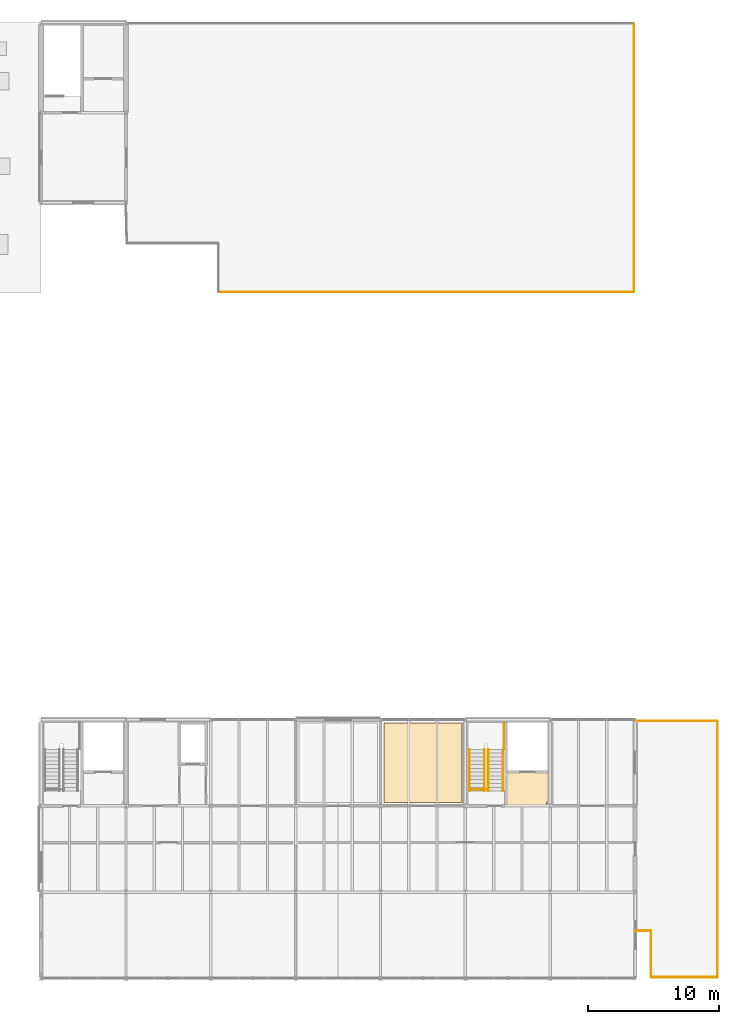
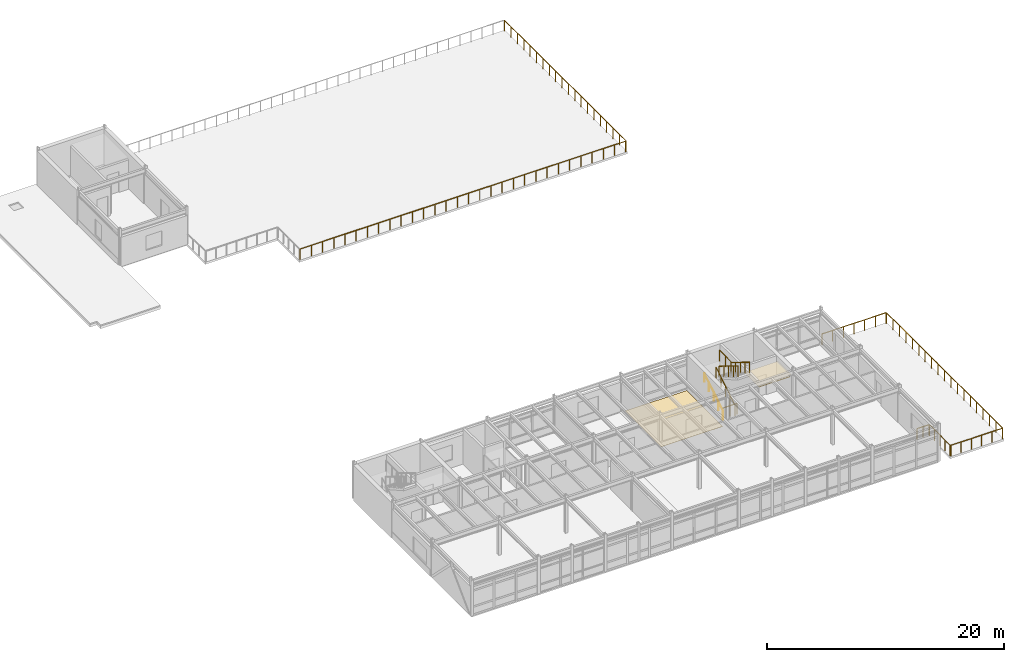
# One storey, part 25 of 26: 13 railings, 2 coverings.
"""IFC4 building model written with IfcOpenShell, lengths in metres."""

from ifc_helpers import new_model, si_unit, direction, frame, origin, origin_2d, place, context, subcontext, project, spatial, polyline, circle, outline, extrude, material, layer, layer_set, type_object, element, save


model = new_model("IFC4")

# Units and contexts
model_context = context("Model", 3, precision=1e-05, world=origin(), true_north=direction((0.0, 1.0)))
body_context = subcontext(model_context, "Body", "Model", "MODEL_VIEW")
ifc_project = project(units=[si_unit("LENGTHUNIT", "METRE"), si_unit("AREAUNIT", "SQUARE_METRE"), si_unit("VOLUMEUNIT", "CUBIC_METRE"), si_unit("PLANEANGLEUNIT", "RADIAN"), si_unit("MASSUNIT", "GRAM", prefix="KILO")], contexts=[model_context])

# Site, building, storey
site_placement = place(None, origin())
site = spatial("IfcSite", under=ifc_project, at=site_placement, CompositionType="ELEMENT")
building_placement = place(site_placement, origin())
building = spatial("IfcBuilding", under=site, at=building_placement, Name="Trelmorton Wharf Fire Station", CompositionType="ELEMENT")
storey_placement = place(building_placement, frame((0.0, 0.0, 17.39990234375)))
storey = spatial("IfcBuildingStorey", under=building, at=storey_placement, Name="L04", CompositionType="ELEMENT", Elevation=17.39990234375)

# Coverings
ifc_material_1 = material(Name="Mineral fibre acoustic ceiling")
ifc_layer_1 = layer(ifc_material_1, 0.02001953125)
ifc_layer_set_1 = layer_set([ifc_layer_1], Name="Mineral fibre acoustic ceiling")
covering_type_1 = type_object("IfcCoveringType", Name="CV_CEIL_ACOU", PredefinedType="CEILING", material=ifc_layer_set_1)
covering_1_placement = place(storey_placement, frame((0.0, 0.0, 2.97998046875)))
element("IfcCovering", 1, at=covering_1_placement, inside=storey, type_object=covering_type_1, Name="CV-CLG-027", PredefinedType="CEILING", context=body_context, shape_type="SweptSolid", body=[
    extrude(outline(polyline([(146.159912109375, 21.0400390625), (146.159912109375, 23.56005859375), (149.4599609375, 23.56005859375), (149.4599609375, 21.300048828125), (149.199951171875, 21.300048828125), (149.199951171875, 21.0400390625), (146.159912109375, 21.0400390625)])), origin(), (0.0, 0.0, 1.0), 0.02001953125),
])
ifc_material_2 = material(Name="Quarry tile wet-area flooring")
ifc_layer_2 = layer(ifc_material_2, 0.02001953125)
ifc_layer_set_2 = layer_set([ifc_layer_2], Name="Quarry tile wet-area flooring")
covering_type_2 = type_object("IfcCoveringType", Name="CV_FLOR_TILE", PredefinedType="FLOORING", material=ifc_layer_set_2)
covering_2_placement = place(storey_placement, origin())
element("IfcCovering", 2, at=covering_2_placement, inside=storey, type_object=covering_type_2, Name="CV-FLR-017", PredefinedType="FLOORING", context=body_context, shape_type="SweptSolid", body=[
    extrude(outline(polyline([(142.75, 21.25), (142.75, 27.35009765625), (136.75, 27.35009765625), (136.75, 21.25), (142.75, 21.25)])), origin(), (0.0, 0.0, 1.0), 0.02001953125),
])

# Railings
ifc_material_3 = material(Name="Signal-red architectural steel Grade 350", Category="steel")
railing_type_1 = type_object("IfcRailingType", Name="RL_BAL_RED", PredefinedType="BALUSTRADE", material=ifc_material_3)
railing_1_placement = place(storey_placement, frame((124.139892578125, 60.3798828125, 0.0)))
element("IfcRailing", 3, at=railing_1_placement, inside=storey, type_object=railing_type_1, Name="RL-DECK-L04-089", PredefinedType="BALUSTRADE", context=body_context, shape_type="SweptSolid", body=[
    extrude(circle(Radius=0.02392578125, at=origin_2d()), frame((0.0, 0.0, 1.09619140625), z_axis=(1.0, 0.0, 0.0), x_axis=(0.0, 1.0, 0.0)), (0.0, 0.0, 1.0), 31.739990234375),
    extrude(circle(Radius=0.02099609375, at=origin_2d()), origin(), (0.0, 0.0, 1.0), 1.072021484375),
    extrude(circle(Radius=0.02099609375, at=origin_2d()), frame((1.094482421875, 0.0, 0.0)), (0.0, 0.0, 1.0), 1.072021484375),
    extrude(circle(Radius=0.02099609375, at=origin_2d()), frame((2.18896484375, 0.0, 0.0)), (0.0, 0.0, 1.0), 1.072021484375),
    extrude(circle(Radius=0.02099609375, at=origin_2d()), frame((3.283447265625, 0.0, 0.0)), (0.0, 0.0, 1.0), 1.072021484375),
    extrude(circle(Radius=0.02099609375, at=origin_2d()), frame((4.3779296875, 0.0, 0.0)), (0.0, 0.0, 1.0), 1.072021484375),
    extrude(circle(Radius=0.02099609375, at=origin_2d()), frame((5.472412109375, 0.0, 0.0)), (0.0, 0.0, 1.0), 1.072021484375),
    extrude(circle(Radius=0.02099609375, at=origin_2d()), frame((6.56689453125, 0.0, 0.0)), (0.0, 0.0, 1.0), 1.072021484375),
    extrude(circle(Radius=0.02099609375, at=origin_2d()), frame((7.661376953125, 0.0, 0.0)), (0.0, 0.0, 1.0), 1.072021484375),
    extrude(circle(Radius=0.02099609375, at=origin_2d()), frame((8.755859375, 0.0, 0.0)), (0.0, 0.0, 1.0), 1.072021484375),
    extrude(circle(Radius=0.02099609375, at=origin_2d()), frame((9.850341796875, 0.0, 0.0)), (0.0, 0.0, 1.0), 1.072021484375),
    extrude(circle(Radius=0.02099609375, at=origin_2d()), frame((10.94482421875, 0.0, 0.0)), (0.0, 0.0, 1.0), 1.072021484375),
    extrude(circle(Radius=0.02099609375, at=origin_2d()), frame((12.039306640625, 0.0, 0.0)), (0.0, 0.0, 1.0), 1.072021484375),
    extrude(circle(Radius=0.02099609375, at=origin_2d()), frame((13.1337890625, 0.0, 0.0)), (0.0, 0.0, 1.0), 1.072021484375),
    extrude(circle(Radius=0.02099609375, at=origin_2d()), frame((14.228271484375, 0.0, 0.0)), (0.0, 0.0, 1.0), 1.072021484375),
    extrude(circle(Radius=0.02099609375, at=origin_2d()), frame((15.32275390625, 0.0, 0.0)), (0.0, 0.0, 1.0), 1.072021484375),
    extrude(circle(Radius=0.02099609375, at=origin_2d()), frame((16.417236328125, 0.0, 0.0)), (0.0, 0.0, 1.0), 1.072021484375),
    extrude(circle(Radius=0.02099609375, at=origin_2d()), frame((17.51171875, 0.0, 0.0)), (0.0, 0.0, 1.0), 1.072021484375),
    extrude(circle(Radius=0.02099609375, at=origin_2d()), frame((18.606201171875, 0.0, 0.0)), (0.0, 0.0, 1.0), 1.072021484375),
    extrude(circle(Radius=0.02099609375, at=origin_2d()), frame((19.70068359375, 0.0, 0.0)), (0.0, 0.0, 1.0), 1.072021484375),
    extrude(circle(Radius=0.02099609375, at=origin_2d()), frame((20.795166015625, 0.0, 0.0)), (0.0, 0.0, 1.0), 1.072021484375),
    extrude(circle(Radius=0.02099609375, at=origin_2d()), frame((21.8896484375, 0.0, 0.0)), (0.0, 0.0, 1.0), 1.072021484375),
    extrude(circle(Radius=0.02099609375, at=origin_2d()), frame((22.984130859375, 0.0, 0.0)), (0.0, 0.0, 1.0), 1.072021484375),
    extrude(circle(Radius=0.02099609375, at=origin_2d()), frame((24.07861328125, 0.0, 0.0)), (0.0, 0.0, 1.0), 1.072021484375),
    extrude(circle(Radius=0.02099609375, at=origin_2d()), frame((25.173095703125, 0.0, 0.0)), (0.0, 0.0, 1.0), 1.072021484375),
    extrude(circle(Radius=0.02099609375, at=origin_2d()), frame((26.267578125, 0.0, 0.0)), (0.0, 0.0, 1.0), 1.072021484375),
    extrude(circle(Radius=0.02099609375, at=origin_2d()), frame((27.362060546875, 0.0, 0.0)), (0.0, 0.0, 1.0), 1.072021484375),
    extrude(circle(Radius=0.02099609375, at=origin_2d()), frame((28.45654296875, 0.0, 0.0)), (0.0, 0.0, 1.0), 1.072021484375),
    extrude(circle(Radius=0.02099609375, at=origin_2d()), frame((29.551025390625, 0.0, 0.0)), (0.0, 0.0, 1.0), 1.072021484375),
    extrude(circle(Radius=0.02099609375, at=origin_2d()), frame((30.6455078125, 0.0, 0.0)), (0.0, 0.0, 1.0), 1.072021484375),
    extrude(circle(Radius=0.02099609375, at=origin_2d()), frame((31.739990234375, 0.0, 0.0)), (0.0, 0.0, 1.0), 1.072021484375),
])
railing_2_placement = place(storey_placement, frame((155.919921875, 60.419921875, 0.0)))
element("IfcRailing", 4, at=railing_2_placement, inside=storey, type_object=railing_type_1, Name="RL-DECK-L04-090", PredefinedType="BALUSTRADE", context=body_context, shape_type="SweptSolid", body=[
    extrude(circle(Radius=0.02392578125, at=origin_2d()), frame((0.0, 0.0, 1.09619140625), z_axis=(0.0, 1.0, 0.0), x_axis=(-1.0, 0.0, 0.0)), (0.0, 0.0, 1.0), 20.4599609375),
    extrude(circle(Radius=0.02099609375, at=origin_2d()), origin(), (0.0, 0.0, 1.0), 1.072021484375),
    extrude(circle(Radius=0.02099609375, at=origin_2d()), frame((0.0, 1.076904296875, 0.0)), (0.0, 0.0, 1.0), 1.072021484375),
    extrude(circle(Radius=0.02099609375, at=origin_2d()), frame((0.0, 2.153564453125, 0.0)), (0.0, 0.0, 1.0), 1.072021484375),
    extrude(circle(Radius=0.02099609375, at=origin_2d()), frame((0.0, 3.23046875, 0.0)), (0.0, 0.0, 1.0), 1.072021484375),
    extrude(circle(Radius=0.02099609375, at=origin_2d()), frame((0.0, 4.307373046875, 0.0)), (0.0, 0.0, 1.0), 1.072021484375),
    extrude(circle(Radius=0.02099609375, at=origin_2d()), frame((0.0, 5.38427734375, 0.0)), (0.0, 0.0, 1.0), 1.072021484375),
    extrude(circle(Radius=0.02099609375, at=origin_2d()), frame((0.0, 6.4609375, 0.0)), (0.0, 0.0, 1.0), 1.072021484375),
    extrude(circle(Radius=0.02099609375, at=origin_2d()), frame((0.0, 7.537841796875, 0.0)), (0.0, 0.0, 1.0), 1.072021484375),
    extrude(circle(Radius=0.02099609375, at=origin_2d()), frame((0.0, 8.61474609375, 0.0)), (0.0, 0.0, 1.0), 1.072021484375),
    extrude(circle(Radius=0.02099609375, at=origin_2d()), frame((0.0, 9.691650390625, 0.0)), (0.0, 0.0, 1.0), 1.072021484375),
    extrude(circle(Radius=0.02099609375, at=origin_2d()), frame((0.0, 10.768310546875, 0.0)), (0.0, 0.0, 1.0), 1.072021484375),
    extrude(circle(Radius=0.02099609375, at=origin_2d()), frame((0.0, 11.84521484375, 0.0)), (0.0, 0.0, 1.0), 1.072021484375),
    extrude(circle(Radius=0.02099609375, at=origin_2d()), frame((0.0, 12.922119140625, 0.0)), (0.0, 0.0, 1.0), 1.072021484375),
    extrude(circle(Radius=0.02099609375, at=origin_2d()), frame((0.0, 13.9990234375, 0.0)), (0.0, 0.0, 1.0), 1.072021484375),
    extrude(circle(Radius=0.02099609375, at=origin_2d()), frame((0.0, 15.07568359375, 0.0)), (0.0, 0.0, 1.0), 1.072021484375),
    extrude(circle(Radius=0.02099609375, at=origin_2d()), frame((0.0, 16.152587890625, 0.0)), (0.0, 0.0, 1.0), 1.072021484375),
    extrude(circle(Radius=0.02099609375, at=origin_2d()), frame((0.0, 17.2294921875, 0.0)), (0.0, 0.0, 1.0), 1.072021484375),
    extrude(circle(Radius=0.02099609375, at=origin_2d()), frame((0.0, 18.306396484375, 0.0)), (0.0, 0.0, 1.0), 1.072021484375),
    extrude(circle(Radius=0.02099609375, at=origin_2d()), frame((0.0, 19.383056640625, 0.0)), (0.0, 0.0, 1.0), 1.072021484375),
    extrude(circle(Radius=0.02099609375, at=origin_2d()), frame((0.0, 20.4599609375, 0.0)), (0.0, 0.0, 1.0), 1.072021484375),
])
ifc_material_4 = material(Name="Stainless steel 316 marine grade", Category="steel")
railing_type_2 = type_object("IfcRailingType", Name="RL_BAL_TERR", PredefinedType="BALUSTRADE", material=ifc_material_4)
railing_3_placement = place(storey_placement, frame((156.0400390625, 11.43994140625, 0.0)))
element("IfcRailing", 5, at=railing_3_placement, inside=storey, type_object=railing_type_2, Name="RL-DECK-L04-031", PredefinedType="BALUSTRADE", context=body_context, shape_type="SweptSolid", body=[
    extrude(circle(Radius=0.02392578125, at=origin_2d()), frame((0.0, 0.0, 1.09619140625), z_axis=(1.0, 0.0, 0.0), x_axis=(0.0, 1.0, 0.0)), (0.0, 0.0, 1.0), 1.139892578125),
    extrude(circle(Radius=0.02099609375, at=origin_2d()), origin(), (0.0, 0.0, 1.0), 1.072021484375),
    extrude(circle(Radius=0.02099609375, at=origin_2d()), frame((0.56982421875, 0.0, 0.0)), (0.0, 0.0, 1.0), 1.072021484375),
    extrude(circle(Radius=0.02099609375, at=origin_2d()), frame((1.139892578125, 0.0, 0.0)), (0.0, 0.0, 1.0), 1.072021484375),
])
railing_4_placement = place(storey_placement, frame((157.219970703125, 11.39990234375, 0.0)))
element("IfcRailing", 6, at=railing_4_placement, inside=storey, type_object=railing_type_2, Name="RL-DECK-L04-032", PredefinedType="BALUSTRADE", context=body_context, shape_type="SweptSolid", body=[
    extrude(circle(Radius=0.02392578125, at=origin_2d()), frame((0.0, 0.0, 1.09619140625), z_axis=(0.0, -1.0, 0.0), x_axis=(1.0, 0.0, 0.0)), (0.0, 0.0, 1.0), 3.47998046875),
    extrude(circle(Radius=0.02099609375, at=origin_2d()), origin(), (0.0, 0.0, 1.0), 1.072021484375),
    extrude(circle(Radius=0.02099609375, at=origin_2d()), frame((0.0, -0.8701171875, 0.0)), (0.0, 0.0, 1.0), 1.072021484375),
    extrude(circle(Radius=0.02099609375, at=origin_2d()), frame((0.0, -1.739990234375, 0.0)), (0.0, 0.0, 1.0), 1.072021484375),
    extrude(circle(Radius=0.02099609375, at=origin_2d()), frame((0.0, -2.60986328125, 0.0)), (0.0, 0.0, 1.0), 1.072021484375),
    extrude(circle(Radius=0.02099609375, at=origin_2d()), frame((0.0, -3.47998046875, 0.0)), (0.0, 0.0, 1.0), 1.072021484375),
])
railing_5_placement = place(storey_placement, frame((157.260009765625, 7.8798828125, 0.0)))
element("IfcRailing", 7, at=railing_5_placement, inside=storey, type_object=railing_type_2, Name="RL-DECK-L04-033", PredefinedType="BALUSTRADE", context=body_context, shape_type="SweptSolid", body=[
    extrude(circle(Radius=0.02392578125, at=origin_2d()), frame((0.0, 0.0, 1.09619140625), z_axis=(1.0, 0.0, 0.0), x_axis=(0.0, 1.0, 0.0)), (0.0, 0.0, 1.0), 5.02001953125),
    extrude(circle(Radius=0.02099609375, at=origin_2d()), origin(), (0.0, 0.0, 1.0), 1.072021484375),
    extrude(circle(Radius=0.02099609375, at=origin_2d()), frame((1.00390625, 0.0, 0.0)), (0.0, 0.0, 1.0), 1.072021484375),
    extrude(circle(Radius=0.02099609375, at=origin_2d()), frame((2.008056640625, 0.0, 0.0)), (0.0, 0.0, 1.0), 1.072021484375),
    extrude(circle(Radius=0.02099609375, at=origin_2d()), frame((3.011962890625, 0.0, 0.0)), (0.0, 0.0, 1.0), 1.072021484375),
    extrude(circle(Radius=0.02099609375, at=origin_2d()), frame((4.01611328125, 0.0, 0.0)), (0.0, 0.0, 1.0), 1.072021484375),
    extrude(circle(Radius=0.02099609375, at=origin_2d()), frame((5.02001953125, 0.0, 0.0)), (0.0, 0.0, 1.0), 1.072021484375),
])
railing_6_placement = place(storey_placement, frame((162.320068359375, 7.919921875, 0.0)))
element("IfcRailing", 8, at=railing_6_placement, inside=storey, type_object=railing_type_2, Name="RL-DECK-L04-034", PredefinedType="BALUSTRADE", context=body_context, shape_type="SweptSolid", body=[
    extrude(circle(Radius=0.02392578125, at=origin_2d()), frame((0.0, 0.0, 1.09619140625), z_axis=(0.0, 1.0, 0.0), x_axis=(-1.0, 0.0, 0.0)), (0.0, 0.0, 1.0), 19.56005859375),
    extrude(circle(Radius=0.02099609375, at=origin_2d()), origin(), (0.0, 0.0, 1.0), 1.072021484375),
    extrude(circle(Radius=0.02099609375, at=origin_2d()), frame((0.0, 1.086669921875, 0.0)), (0.0, 0.0, 1.0), 1.072021484375),
    extrude(circle(Radius=0.02099609375, at=origin_2d()), frame((0.0, 2.17333984375, 0.0)), (0.0, 0.0, 1.0), 1.072021484375),
    extrude(circle(Radius=0.02099609375, at=origin_2d()), frame((0.0, 3.260009765625, 0.0)), (0.0, 0.0, 1.0), 1.072021484375),
    extrude(circle(Radius=0.02099609375, at=origin_2d()), frame((0.0, 4.3466796875, 0.0)), (0.0, 0.0, 1.0), 1.072021484375),
    extrude(circle(Radius=0.02099609375, at=origin_2d()), frame((0.0, 5.433349609375, 0.0)), (0.0, 0.0, 1.0), 1.072021484375),
    extrude(circle(Radius=0.02099609375, at=origin_2d()), frame((0.0, 6.52001953125, 0.0)), (0.0, 0.0, 1.0), 1.072021484375),
    extrude(circle(Radius=0.02099609375, at=origin_2d()), frame((0.0, 7.606689453125, 0.0)), (0.0, 0.0, 1.0), 1.072021484375),
    extrude(circle(Radius=0.02099609375, at=origin_2d()), frame((0.0, 8.693359375, 0.0)), (0.0, 0.0, 1.0), 1.072021484375),
    extrude(circle(Radius=0.02099609375, at=origin_2d()), frame((0.0, 9.780029296875, 0.0)), (0.0, 0.0, 1.0), 1.072021484375),
    extrude(circle(Radius=0.02099609375, at=origin_2d()), frame((0.0, 10.86669921875, 0.0)), (0.0, 0.0, 1.0), 1.072021484375),
    extrude(circle(Radius=0.02099609375, at=origin_2d()), frame((0.0, 11.953369140625, 0.0)), (0.0, 0.0, 1.0), 1.072021484375),
    extrude(circle(Radius=0.02099609375, at=origin_2d()), frame((0.0, 13.0400390625, 0.0)), (0.0, 0.0, 1.0), 1.072021484375),
    extrude(circle(Radius=0.02099609375, at=origin_2d()), frame((0.0, 14.126708984375, 0.0)), (0.0, 0.0, 1.0), 1.072021484375),
    extrude(circle(Radius=0.02099609375, at=origin_2d()), frame((0.0, 15.21337890625, 0.0)), (0.0, 0.0, 1.0), 1.072021484375),
    extrude(circle(Radius=0.02099609375, at=origin_2d()), frame((0.0, 16.300048828125, 0.0)), (0.0, 0.0, 1.0), 1.072021484375),
    extrude(circle(Radius=0.02099609375, at=origin_2d()), frame((0.0, 17.38671875, 0.0)), (0.0, 0.0, 1.0), 1.072021484375),
    extrude(circle(Radius=0.02099609375, at=origin_2d()), frame((0.0, 18.473388671875, 0.0)), (0.0, 0.0, 1.0), 1.072021484375),
    extrude(circle(Radius=0.02099609375, at=origin_2d()), frame((0.0, 19.56005859375, 0.0)), (0.0, 0.0, 1.0), 1.072021484375),
])
railing_7_placement = place(storey_placement, frame((162.280029296875, 27.52001953125, 0.0)))
element("IfcRailing", 9, at=railing_7_placement, inside=storey, type_object=railing_type_2, Name="RL-DECK-L04-035", PredefinedType="BALUSTRADE", context=body_context, shape_type="SweptSolid", body=[
    extrude(circle(Radius=0.02392578125, at=origin_2d()), frame((0.0, 0.0, 1.09619140625), z_axis=(-1.0, 0.0, 0.0), x_axis=(0.0, -1.0, 0.0)), (0.0, 0.0, 1.0), 6.239990234375),
    extrude(circle(Radius=0.02099609375, at=origin_2d()), origin(), (0.0, 0.0, 1.0), 1.072021484375),
    extrude(circle(Radius=0.02099609375, at=origin_2d()), frame((-1.0400390625, 0.0, 0.0)), (0.0, 0.0, 1.0), 1.072021484375),
    extrude(circle(Radius=0.02099609375, at=origin_2d()), frame((-2.080078125, 0.0, 0.0)), (0.0, 0.0, 1.0), 1.072021484375),
    extrude(circle(Radius=0.02099609375, at=origin_2d()), frame((-3.1201171875, 0.0, 0.0)), (0.0, 0.0, 1.0), 1.072021484375),
    extrude(circle(Radius=0.02099609375, at=origin_2d()), frame((-4.159912109375, 0.0, 0.0)), (0.0, 0.0, 1.0), 1.072021484375),
    extrude(circle(Radius=0.02099609375, at=origin_2d()), frame((-5.199951171875, 0.0, 0.0)), (0.0, 0.0, 1.0), 1.072021484375),
    extrude(circle(Radius=0.02099609375, at=origin_2d()), frame((-6.239990234375, 0.0, 0.0)), (0.0, 0.0, 1.0), 1.072021484375),
])
railing_type_3 = type_object("IfcRailingType", Name="RL_HAND_900", PredefinedType="HANDRAIL", material=ifc_material_4)
railing_8_placement = place(storey_placement, frame((143.31005859375, 22.139892578125, 0.0)))
element("IfcRailing", 10, at=railing_8_placement, inside=storey, type_object=railing_type_3, Name="RL-HR1-STR-C4-L04-17", PredefinedType="HANDRAIL", context=body_context, shape_type="SweptSolid", body=[
    extrude(circle(Radius=0.02099609375, at=origin_2d()), frame((0.0, 0.0, 0.87890625), z_axis=(0.0, 0.853205965376, 0.521574137248), x_axis=(-1.0, 0.0, 0.0)), (0.0, 0.0, 1.0), 3.739013671875),
    extrude(circle(Radius=0.02099609375, at=origin_2d()), origin(), (0.0, 0.0, 1.0), 0.85791015625),
    extrude(circle(Radius=0.02099609375, at=origin_2d()), frame((0.0, 0.797607421875, 0.487548828125)), (0.0, 0.0, 1.0), 0.85791015625),
    extrude(circle(Radius=0.02099609375, at=origin_2d()), frame((0.0, 1.59521484375, 0.97509765625)), (0.0, 0.0, 1.0), 0.85791015625),
    extrude(circle(Radius=0.02099609375, at=origin_2d()), frame((0.0, 2.392578125, 1.462646484375)), (0.0, 0.0, 1.0), 0.85791015625),
    extrude(circle(Radius=0.02099609375, at=origin_2d()), frame((0.0, 3.190185546875, 1.9501953125)), (0.0, 0.0, 1.0), 0.85791015625),
])
railing_type_4 = type_object("IfcRailingType", Name="RL_WELL_1100", PredefinedType="BALUSTRADE", material=ifc_material_4)
railing_9_placement = place(storey_placement, frame((143.360107421875, 22.260009765625, 0.0)))
element("IfcRailing", 11, at=railing_9_placement, inside=storey, type_object=railing_type_4, Name="RL-UPWELL-STR-C4-L03-16", PredefinedType="BALUSTRADE", context=body_context, shape_type="SweptSolid", body=[
    extrude(circle(Radius=0.02392578125, at=origin_2d()), frame((0.0, 0.0, 1.09619140625), z_axis=(1.0, 0.0, 0.0), x_axis=(0.0, 1.0, 0.0)), (0.0, 0.0, 1.0), 1.33984375),
    extrude(circle(Radius=0.02099609375, at=origin_2d()), origin(), (0.0, 0.0, 1.0), 1.072021484375),
    extrude(circle(Radius=0.02099609375, at=origin_2d()), frame((0.669921875, 0.0, 0.0)), (0.0, 0.0, 1.0), 1.072021484375),
    extrude(circle(Radius=0.02099609375, at=origin_2d()), frame((1.33984375, 0.0, 0.0)), (0.0, 0.0, 1.0), 1.072021484375),
])
railing_10_placement = place(storey_placement, frame((145.955078125, 27.35498046875, 1.9501953125)))
element("IfcRailing", 12, at=railing_10_placement, inside=storey, type_object=railing_type_4, Name="RL-GW-OUT1-STR-C4-L04-17", PredefinedType="BALUSTRADE", context=body_context, shape_type="SweptSolid", body=[
    extrude(circle(Radius=0.02392578125, at=origin_2d()), frame((0.0, 0.0, 1.09619140625), z_axis=(0.0, -1.0, 0.0), x_axis=(1.0, 0.0, 0.0)), (0.0, 0.0, 1.0), 1.98486328125),
    extrude(circle(Radius=0.02099609375, at=origin_2d()), origin(), (0.0, 0.0, 1.0), 1.072021484375),
    extrude(circle(Radius=0.02099609375, at=origin_2d()), frame((0.0, -0.992431640625, 0.0)), (0.0, 0.0, 1.0), 1.072021484375),
    extrude(circle(Radius=0.02099609375, at=origin_2d()), frame((0.0, -1.98486328125, 0.0)), (0.0, 0.0, 1.0), 1.072021484375),
])
railing_11_placement = place(storey_placement, frame((145.889892578125, 25.330078125, 1.9501953125)))
element("IfcRailing", 13, at=railing_11_placement, inside=storey, type_object=railing_type_4, Name="RL-GW-OUT2-STR-C4-L04-17", PredefinedType="BALUSTRADE", context=body_context, shape_type="SweptSolid", body=[
    extrude(circle(Radius=0.02392578125, at=origin_2d()), frame((0.0, 0.0, 1.09619140625), z_axis=(0.0, -0.853235021851, 0.521526602856), x_axis=(1.0, 0.0, 0.0)), (0.0, 0.0, 1.0), 3.739013671875),
    extrude(circle(Radius=0.02099609375, at=origin_2d()), origin(), (0.0, 0.0, 1.0), 1.072021484375),
    extrude(circle(Radius=0.02099609375, at=origin_2d()), frame((0.0, -0.797607421875, 0.487548828125)), (0.0, 0.0, 1.0), 1.072021484375),
    extrude(circle(Radius=0.02099609375, at=origin_2d()), frame((0.0, -1.59521484375, 0.97509765625)), (0.0, 0.0, 1.0), 1.072021484375),
    extrude(circle(Radius=0.02099609375, at=origin_2d()), frame((0.0, -2.392578125, 1.46240234375)), (0.0, 0.0, 1.0), 1.072021484375),
    extrude(circle(Radius=0.02099609375, at=origin_2d()), frame((0.0, -3.190185546875, 1.949951171875)), (0.0, 0.0, 1.0), 1.072021484375),
])
railing_12_placement = place(storey_placement, frame((144.449951171875, 22.139892578125, 0.0)))
element("IfcRailing", 14, at=railing_12_placement, inside=storey, type_object=railing_type_4, Name="RL-GW-IN1-STR-C4-L04-17", PredefinedType="BALUSTRADE", context=body_context, shape_type="SweptSolid", body=[
    extrude(circle(Radius=0.02392578125, at=origin_2d()), frame((0.0, 0.0, 1.09619140625), z_axis=(0.0, 0.853205965376, 0.521574137248), x_axis=(-1.0, 0.0, 0.0)), (0.0, 0.0, 1.0), 3.739013671875),
    extrude(circle(Radius=0.02099609375, at=origin_2d()), origin(), (0.0, 0.0, 1.0), 1.072021484375),
    extrude(circle(Radius=0.02099609375, at=origin_2d()), frame((0.0, 0.797607421875, 0.487548828125)), (0.0, 0.0, 1.0), 1.072021484375),
    extrude(circle(Radius=0.02099609375, at=origin_2d()), frame((0.0, 1.59521484375, 0.97509765625)), (0.0, 0.0, 1.0), 1.072021484375),
    extrude(circle(Radius=0.02099609375, at=origin_2d()), frame((0.0, 2.392578125, 1.462646484375)), (0.0, 0.0, 1.0), 1.072021484375),
    extrude(circle(Radius=0.02099609375, at=origin_2d()), frame((0.0, 3.190185546875, 1.9501953125)), (0.0, 0.0, 1.0), 1.072021484375),
])
railing_13_placement = place(storey_placement, frame((144.75, 25.330078125, 1.9501953125)))
element("IfcRailing", 15, at=railing_13_placement, inside=storey, type_object=railing_type_4, Name="RL-GW-IN2-STR-C4-L04-17", PredefinedType="BALUSTRADE", context=body_context, shape_type="SweptSolid", body=[
    extrude(circle(Radius=0.02392578125, at=origin_2d()), frame((0.0, 0.0, 1.09619140625), z_axis=(0.0, -0.853235021851, 0.521526602856), x_axis=(1.0, 0.0, 0.0)), (0.0, 0.0, 1.0), 3.739013671875),
    extrude(circle(Radius=0.02099609375, at=origin_2d()), origin(), (0.0, 0.0, 1.0), 1.072021484375),
    extrude(circle(Radius=0.02099609375, at=origin_2d()), frame((0.0, -0.797607421875, 0.487548828125)), (0.0, 0.0, 1.0), 1.072021484375),
    extrude(circle(Radius=0.02099609375, at=origin_2d()), frame((0.0, -1.59521484375, 0.97509765625)), (0.0, 0.0, 1.0), 1.072021484375),
    extrude(circle(Radius=0.02099609375, at=origin_2d()), frame((0.0, -2.392578125, 1.46240234375)), (0.0, 0.0, 1.0), 1.072021484375),
    extrude(circle(Radius=0.02099609375, at=origin_2d()), frame((0.0, -3.190185546875, 1.949951171875)), (0.0, 0.0, 1.0), 1.072021484375),
])

save(model, "model.ifc")
